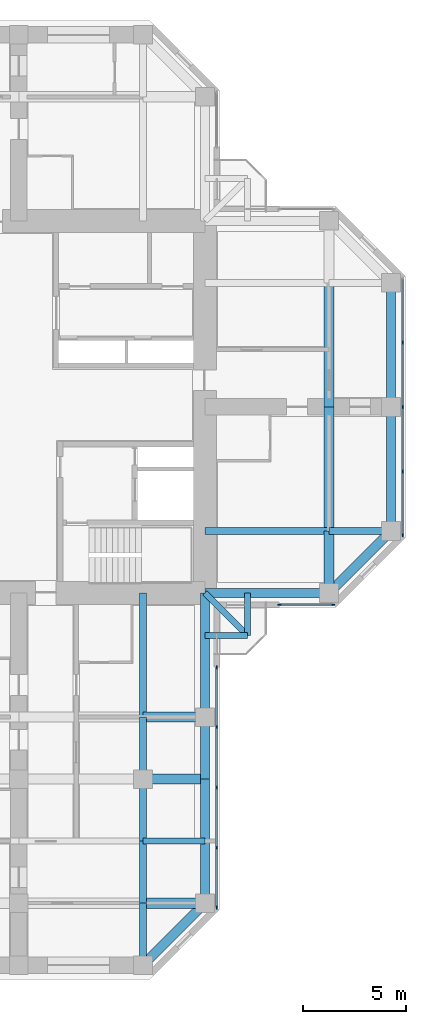
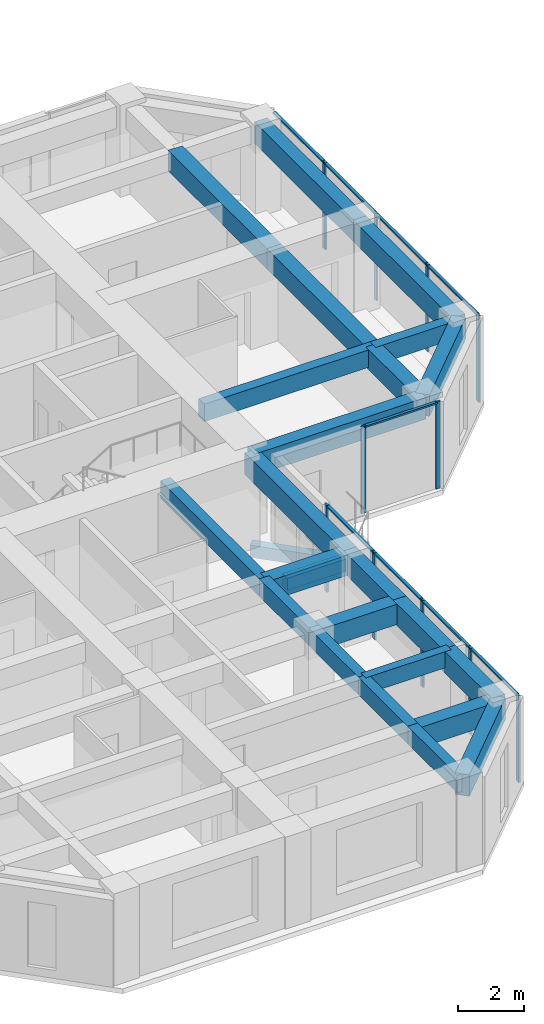
# One storey, part 4 of 13: 26 beams, 20 members, 3 elements without a shape of their own.
"""IFC4 building model written with IfcOpenShell, lengths in metres."""

from ifc_helpers import new_model, si_unit, direction, frame, origin, origin_2d, place, context, subcontext, project, spatial, rectangle, extrude, material, material_profile, profile_set, type_object, element, aggregate, save


model = new_model("IFC4")

# Units and contexts
model_context = context("Model", 3, precision=1e-05, world=origin(), true_north=direction((0.0, 1.0)))
body_context = subcontext(model_context, "Body", "Model", "MODEL_VIEW")
ifc_project = project(units=[si_unit("LENGTHUNIT", "METRE"), si_unit("AREAUNIT", "SQUARE_METRE"), si_unit("VOLUMEUNIT", "CUBIC_METRE"), si_unit("PLANEANGLEUNIT", "RADIAN"), si_unit("MASSUNIT", "GRAM", prefix="KILO")], contexts=[model_context])

# Site, building, storey
site_placement = place(None, origin())
site = spatial("IfcSite", under=ifc_project, at=site_placement, CompositionType="ELEMENT")
building_placement = place(site_placement, origin())
building = spatial("IfcBuilding", under=site, at=building_placement, Name="Torre Cruceta", CompositionType="ELEMENT")
storey_placement = place(building_placement, frame((0.0, 0.0, 196.699951171875)))
storey = spatial("IfcBuildingStorey", under=building, at=storey_placement, Name="L49", CompositionType="ELEMENT", Elevation=196.699951171875)

# Beams
ifc_material_1 = material(Name="Concrete G60 (fck 60 MPa)", Category="concrete")
ifc_material_profile_1 = material_profile(ifc_material_1, rectangle(XDim=0.300048828125, YDim=0.449951171875, at=origin_2d()), Name="RC 300X450")
ifc_profile_set_1 = profile_set([ifc_material_profile_1], Name="Concrete G60 (fck 60 MPa)")
beam_type_1 = type_object("IfcBeamType", Name="BALCONY CANTILEVER BEAM RC 300X450", PredefinedType="BEAM", material=ifc_profile_set_1)
beam_1_placement = place(storey_placement, frame((9.0, -9.0, -0.405029296875), z_axis=(0.707106781187, -0.707106781187, 0.0), x_axis=(0.707106781187, 0.707106781187, 0.0)))
element("IfcBeam", 1, at=beam_1_placement, inside=storey, type_object=beam_type_1, Name="BB1 balcony beam L49 S", PredefinedType="BEAM", context=body_context, shape_type="SweptSolid", body=[
    extrude(rectangle(XDim=0.300048828125, YDim=0.449951171875, at=origin_2d()), origin(), (0.0, 0.0, 1.0), 2.89990234375),
])
for number, where, z_axis, x_axis, name in (
    (2, (11.050537109375, -9.0, -0.405029296875), (0.0, -1.0, 0.0), (1.0, 0.0, 0.0), "BB1 balcony edge beam L49 S-X"),
    (3, (9.0, -11.050537109375, -0.405029296875), (1.0, 0.0, 0.0), (0.0, 1.0, 0.0), "BB1 balcony edge beam L49 S-Y"),
):
    element("IfcBeam", number, at=place(storey_placement, frame(where, z_axis=z_axis, x_axis=x_axis)), inside=storey, type_object=beam_type_1, Name=name, PredefinedType="BEAM", context=body_context, shape_type="SweptSolid", body=[
        extrude(rectangle(XDim=0.300048828125, YDim=0.449951171875, at=origin_2d()), origin(), (0.0, 0.0, 1.0), 2.050537109375),
    ])
ifc_material_2 = material(Name="Concrete G60 (fck 60 MPa)", Category="concrete")
ifc_material_profile_2 = material_profile(ifc_material_2, rectangle(XDim=0.35009765625, YDim=0.64990234375, at=origin_2d()), Name="RC 350X650")
ifc_profile_set_2 = profile_set([ifc_material_profile_2], Name="Concrete G60 (fck 60 MPa)")
beam_type_2 = type_object("IfcBeamType", Name="COLUMN LINE BEAM RC 350X650", PredefinedType="BEAM", material=ifc_profile_set_2)
beam_2_placement = place(storey_placement, frame((9.0, -6.0, 2.89501953125), z_axis=(1.0, 0.0, 0.0), x_axis=(0.0, 1.0, 0.0)))
element("IfcBeam", 4, at=beam_2_placement, inside=storey, type_object=beam_type_2, Name="LB7 L49 E col- 1", PredefinedType="BEAM", context=body_context, shape_type="SweptSolid", body=[
    extrude(rectangle(XDim=0.35009765625, YDim=0.64990234375, at=origin_2d()), origin(), (0.0, 0.0, 1.0), 6.0),
])
beam_3_placement = place(storey_placement, frame((15.0, -6.0, 2.89501953125), z_axis=(1.0, 0.0, 0.0), x_axis=(0.0, 1.0, 0.0)))
element("IfcBeam", 5, at=beam_3_placement, inside=storey, type_object=beam_type_2, Name="LB7 L49 E col- 2", PredefinedType="BEAM", context=body_context, shape_type="SweptSolid", body=[
    extrude(rectangle(XDim=0.35009765625, YDim=0.64990234375, at=origin_2d()), origin(), (0.0, 0.0, 1.0), 3.0),
])
beam_4_placement = place(storey_placement, frame((6.0, -9.0, 2.89501953125), z_axis=(0.0, -1.0, 0.0), x_axis=(1.0, 0.0, 0.0)))
element("IfcBeam", 6, at=beam_4_placement, inside=storey, type_object=beam_type_2, Name="LB7 L49 S col+ 1", PredefinedType="BEAM", context=body_context, shape_type="SweptSolid", body=[
    extrude(rectangle(XDim=0.35009765625, YDim=0.64990234375, at=origin_2d()), origin(), (0.0, 0.0, 1.0), 6.0),
])
for number, where, z_axis, x_axis, name in (
    (7, (6.0, -15.0, 2.89501953125), (0.0, -1.0, 0.0), (1.0, 0.0, 0.0), "LB7 L49 S col+ 2"),
    (8, (6.0, -18.0, 2.89501953125), (0.0, -1.0, 0.0), (1.0, 0.0, 0.0), "LB7 L49 S col+ 3"),
    (9, (6.0, -21.0, 2.89501953125), (0.0, -1.0, 0.0), (1.0, 0.0, 0.0), "LB7 L49 S col+ 4"),
    (10, (6.0, -24.0, 2.89501953125), (0.0, -1.0, 0.0), (1.0, 0.0, 0.0), "LB7 L49 S col+ 5"),
):
    element("IfcBeam", number, at=place(storey_placement, frame(where, z_axis=z_axis, x_axis=x_axis)), inside=storey, type_object=beam_type_2, Name=name, PredefinedType="BEAM", context=body_context, shape_type="SweptSolid", body=[
        extrude(rectangle(XDim=0.35009765625, YDim=0.64990234375, at=origin_2d()), origin(), (0.0, 0.0, 1.0), 3.0),
    ])
ifc_material_3 = material(Name="Concrete G60 (fck 60 MPa)", Category="concrete")
ifc_material_profile_3 = material_profile(ifc_material_3, rectangle(XDim=0.5, YDim=0.75, at=origin_2d()), Name="RC 500X750")
ifc_profile_set_3 = profile_set([ifc_material_profile_3], Name="Concrete G60 (fck 60 MPa)")
beam_type_3 = type_object("IfcBeamType", Name="CROSS BEAM RC 500X750", PredefinedType="BEAM", material=ifc_profile_set_3)
beam_5_placement = place(storey_placement, frame((15.0, -9.0, 2.844970703125), z_axis=(0.0, 1.0, 0.0), x_axis=(-1.0, 0.0, 0.0)))
element("IfcBeam", 11, at=beam_5_placement, inside=storey, type_object=beam_type_3, Name="GB6 L49 E cross15 1", PredefinedType="BEAM", context=body_context, shape_type="SweptSolid", body=[
    extrude(rectangle(XDim=0.5, YDim=0.75, at=origin_2d()), origin(), (0.0, 0.0, 1.0), 3.0),
])
for number, where, z_axis, x_axis, name in (
    (12, (15.0, -6.0, 2.844970703125), (0.0, 1.0, 0.0), (-1.0, 0.0, 0.0), "GB6 L49 E cross15 2"),
    (13, (15.0, 0.0, 2.844970703125), (0.0, 1.0, 0.0), (-1.0, 0.0, 0.0), "GB6 L49 E cross15 3"),
):
    element("IfcBeam", number, at=place(storey_placement, frame(where, z_axis=z_axis, x_axis=x_axis)), inside=storey, type_object=beam_type_3, Name=name, PredefinedType="BEAM", context=body_context, shape_type="SweptSolid", body=[
        extrude(rectangle(XDim=0.5, YDim=0.75, at=origin_2d()), origin(), (0.0, 0.0, 1.0), 6.0),
    ])
for number, where, z_axis, x_axis, name in (
    (14, (6.0, -15.0, 2.844970703125), (1.0, 0.0, 0.0), (0.0, 1.0, 0.0), "GB6 L49 S cross15 4"),
    (15, (6.0, -18.0, 2.844970703125), (1.0, 0.0, 0.0), (0.0, 1.0, 0.0), "GB6 L49 S cross18 4"),
    (16, (6.0, -24.0, 2.844970703125), (1.0, 0.0, 0.0), (0.0, 1.0, 0.0), "GB6 L49 S cross24 4"),
):
    element("IfcBeam", number, at=place(storey_placement, frame(where, z_axis=z_axis, x_axis=x_axis)), inside=storey, type_object=beam_type_3, Name=name, PredefinedType="BEAM", context=body_context, shape_type="SweptSolid", body=[
        extrude(rectangle(XDim=0.5, YDim=0.75, at=origin_2d()), origin(), (0.0, 0.0, 1.0), 3.0),
    ])

# Curtain wall, members
ifc_material_4 = material(Name="Aluminium unitised curtain wall", Category="aluminium")
curtain_wall_type = type_object("IfcCurtainWallType", Name="CURTAIN WALL CW-C CO-LIVING", PredefinedType="USERDEFINED", material=ifc_material_4)
curtain_wall_1_placement = place(storey_placement, origin())
curtain_wall_1 = element("IfcCurtainWall", 17, at=curtain_wall_1_placement, inside=storey, type_object=curtain_wall_type, Name="CW-C L49 E side 00", ObjectType="UNITISED", PredefinedType="USERDEFINED")
ifc_material_5 = material(Name="Aluminium mullion", Category="aluminium")
ifc_material_profile_4 = material_profile(ifc_material_5, rectangle(XDim=0.06005859375, YDim=0.159912109375, at=origin_2d()), Name="AL 60X160")
ifc_profile_set_4 = profile_set([ifc_material_profile_4], Name="Aluminium mullion")
member_type_1 = type_object("IfcMemberType", Name="CW-C MULLION 60X160", PredefinedType="MULLION", material=ifc_profile_set_4)
member_1_placement = place(storey_placement, frame((12.60009765625, -9.570068359375, 0.0), z_axis=(0.0, 0.0, 1.0), x_axis=(0.0, 1.0, 0.0)))
member_1 = element("IfcMember", 18, at=member_1_placement, type_object=member_type_1, Name="CW-C mullion 1", PredefinedType="MULLION", context=body_context, shape_type="SweptSolid", body=[
    extrude(rectangle(XDim=0.06005859375, YDim=0.159912109375, at=origin_2d()), origin(), (0.0, 0.0, 1.0), 3.219970703125),
])
member_2_placement = place(storey_placement, frame((15.2060546875, -9.570068359375, 0.0), z_axis=(0.0, 0.0, 1.0), x_axis=(0.0, 1.0, 0.0)))
member_2 = element("IfcMember", 19, at=member_2_placement, type_object=member_type_1, Name="CW-C mullion 2", PredefinedType="MULLION", context=body_context, shape_type="SweptSolid", body=[
    extrude(rectangle(XDim=0.06005859375, YDim=0.159912109375, at=origin_2d()), origin(), (0.0, 0.0, 1.0), 3.219970703125),
])

curtain_wall_2_placement = place(storey_placement, origin())
curtain_wall_2 = element("IfcCurtainWall", 20, at=curtain_wall_2_placement, inside=storey, type_object=curtain_wall_type, Name="CW-C L49 E tip 02", ObjectType="UNITISED", PredefinedType="USERDEFINED")
member_3_placement = place(storey_placement, frame((18.570068359375, -6.2060546875, 0.0), z_axis=(0.0, 0.0, 1.0), x_axis=(-1.0, 0.0, 0.0)))
member_3 = element("IfcMember", 21, at=member_3_placement, type_object=member_type_1, Name="CW-C mullion 1", PredefinedType="MULLION", context=body_context, shape_type="SweptSolid", body=[
    extrude(rectangle(XDim=0.06005859375, YDim=0.159912109375, at=origin_2d()), origin(), (0.0, 0.0, 1.0), 3.219970703125),
])
member_4_placement = place(storey_placement, frame((18.570068359375, -3.1181640625, 0.0), z_axis=(0.0, 0.0, 1.0), x_axis=(-1.0, 0.0, 0.0)))
member_4 = element("IfcMember", 22, at=member_4_placement, type_object=member_type_1, Name="CW-C mullion 2", PredefinedType="MULLION", context=body_context, shape_type="SweptSolid", body=[
    extrude(rectangle(XDim=0.06005859375, YDim=0.159912109375, at=origin_2d()), origin(), (0.0, 0.0, 1.0), 3.219970703125),
])
member_5_placement = place(storey_placement, frame((18.570068359375, 0.0, 0.0), z_axis=(0.0, 0.0, 1.0), x_axis=(-1.0, 0.0, 0.0)))
member_5 = element("IfcMember", 23, at=member_5_placement, type_object=member_type_1, Name="CW-C mullion 3", PredefinedType="MULLION", context=body_context, shape_type="SweptSolid", body=[
    extrude(rectangle(XDim=0.06005859375, YDim=0.159912109375, at=origin_2d()), origin(), (0.0, 0.0, 1.0), 3.219970703125),
])
member_6_placement = place(storey_placement, frame((18.570068359375, 3.1181640625, 0.0), z_axis=(0.0, 0.0, 1.0), x_axis=(-1.0, 0.0, 0.0)))
member_6 = element("IfcMember", 24, at=member_6_placement, type_object=member_type_1, Name="CW-C mullion 4", PredefinedType="MULLION", context=body_context, shape_type="SweptSolid", body=[
    extrude(rectangle(XDim=0.06005859375, YDim=0.159912109375, at=origin_2d()), origin(), (0.0, 0.0, 1.0), 3.219970703125),
])

curtain_wall_3_placement = place(storey_placement, origin())
curtain_wall_3 = element("IfcCurtainWall", 25, at=curtain_wall_3_placement, inside=storey, type_object=curtain_wall_type, Name="CW-C L49 S side 19", ObjectType="UNITISED", PredefinedType="USERDEFINED")
member_7_placement = place(storey_placement, frame((9.570068359375, -24.2060546875, 0.0), z_axis=(0.0, 0.0, 1.0), x_axis=(-1.0, 0.0, 0.0)))
member_7 = element("IfcMember", 26, at=member_7_placement, type_object=member_type_1, Name="CW-C mullion 1", PredefinedType="MULLION", context=body_context, shape_type="SweptSolid", body=[
    extrude(rectangle(XDim=0.06005859375, YDim=0.159912109375, at=origin_2d()), origin(), (0.0, 0.0, 1.0), 3.219970703125),
])
member_8_placement = place(storey_placement, frame((9.570068359375, -21.319580078125, 0.0), z_axis=(0.0, 0.0, 1.0), x_axis=(-1.0, 0.0, 0.0)))
member_8 = element("IfcMember", 27, at=member_8_placement, type_object=member_type_1, Name="CW-C mullion 2", PredefinedType="MULLION", context=body_context, shape_type="SweptSolid", body=[
    extrude(rectangle(XDim=0.06005859375, YDim=0.159912109375, at=origin_2d()), origin(), (0.0, 0.0, 1.0), 3.219970703125),
])
member_9_placement = place(storey_placement, frame((9.570068359375, -18.403076171875, 0.0), z_axis=(0.0, 0.0, 1.0), x_axis=(-1.0, 0.0, 0.0)))
member_9 = element("IfcMember", 28, at=member_9_placement, type_object=member_type_1, Name="CW-C mullion 3", PredefinedType="MULLION", context=body_context, shape_type="SweptSolid", body=[
    extrude(rectangle(XDim=0.06005859375, YDim=0.159912109375, at=origin_2d()), origin(), (0.0, 0.0, 1.0), 3.219970703125),
])
member_10_placement = place(storey_placement, frame((9.570068359375, -15.486572265625, 0.0), z_axis=(0.0, 0.0, 1.0), x_axis=(-1.0, 0.0, 0.0)))
member_10 = element("IfcMember", 29, at=member_10_placement, type_object=member_type_1, Name="CW-C mullion 4", PredefinedType="MULLION", context=body_context, shape_type="SweptSolid", body=[
    extrude(rectangle(XDim=0.06005859375, YDim=0.159912109375, at=origin_2d()), origin(), (0.0, 0.0, 1.0), 3.219970703125),
])
member_11_placement = place(storey_placement, frame((9.570068359375, -12.60009765625, 0.0), z_axis=(0.0, 0.0, 1.0), x_axis=(-1.0, 0.0, 0.0)))
member_11 = element("IfcMember", 30, at=member_11_placement, type_object=member_type_1, Name="CW-C mullion 5", PredefinedType="MULLION", context=body_context, shape_type="SweptSolid", body=[
    extrude(rectangle(XDim=0.06005859375, YDim=0.159912109375, at=origin_2d()), origin(), (0.0, 0.0, 1.0), 3.219970703125),
])

# Member
ifc_material_6 = material(Name="Aluminium transom", Category="aluminium")
ifc_material_profile_5 = material_profile(ifc_material_6, rectangle(XDim=0.10009765625, YDim=0.06005859375, at=origin_2d()), Name="AL 100X60")
ifc_profile_set_5 = profile_set([ifc_material_profile_5], Name="Aluminium transom")
member_type_2 = type_object("IfcMemberType", Name="CW-C TRANSOM 60X100", PredefinedType="USERDEFINED", material=ifc_profile_set_5)
member_12_placement = place(storey_placement, frame((12.6298828125, -9.570068359375, 3.18994140625), z_axis=(1.0, 0.0, 0.0), x_axis=(0.0, 1.0, 0.0)))
member_12 = element("IfcMember", 31, at=member_12_placement, type_object=member_type_2, Name="CW-C transom 1", ObjectType="TRANSOM", PredefinedType="USERDEFINED", context=body_context, shape_type="SweptSolid", body=[
    extrude(rectangle(XDim=0.10009765625, YDim=0.06005859375, at=origin_2d()), origin(), (0.0, 0.0, 1.0), 2.546142578125),
])

aggregate(curtain_wall_1, [member_1, member_2, member_12])

member_13_placement = place(storey_placement, frame((18.570068359375, -6.176025390625, 3.18994140625), z_axis=(0.0, 1.0, 0.0), x_axis=(-1.0, 0.0, 0.0)))
member_13 = element("IfcMember", 32, at=member_13_placement, type_object=member_type_2, Name="CW-C transom 1", ObjectType="TRANSOM", PredefinedType="USERDEFINED", context=body_context, shape_type="SweptSolid", body=[
    extrude(rectangle(XDim=0.10009765625, YDim=0.06005859375, at=origin_2d()), origin(), (0.0, 0.0, 1.0), 3.028076171875),
])

member_14_placement = place(storey_placement, frame((18.570068359375, -3.088134765625, 3.18994140625), z_axis=(0.0, 1.0, 0.0), x_axis=(-1.0, 0.0, 0.0)))
member_14 = element("IfcMember", 33, at=member_14_placement, type_object=member_type_2, Name="CW-C transom 2", ObjectType="TRANSOM", PredefinedType="USERDEFINED", context=body_context, shape_type="SweptSolid", body=[
    extrude(rectangle(XDim=0.10009765625, YDim=0.06005859375, at=origin_2d()), origin(), (0.0, 0.0, 1.0), 3.05810546875),
])

member_15_placement = place(storey_placement, frame((18.570068359375, 0.030029296875, 3.18994140625), z_axis=(0.0, 1.0, 0.0), x_axis=(-1.0, 0.0, 0.0)))
member_15 = element("IfcMember", 34, at=member_15_placement, type_object=member_type_2, Name="CW-C transom 3", ObjectType="TRANSOM", PredefinedType="USERDEFINED", context=body_context, shape_type="SweptSolid", body=[
    extrude(rectangle(XDim=0.10009765625, YDim=0.06005859375, at=origin_2d()), origin(), (0.0, 0.0, 1.0), 3.05810546875),
])

member_16_placement = place(storey_placement, frame((18.570068359375, 3.14794921875, 3.18994140625), z_axis=(0.0, 1.0, 0.0), x_axis=(-1.0, 0.0, 0.0)))
member_16 = element("IfcMember", 35, at=member_16_placement, type_object=member_type_2, Name="CW-C transom 4", ObjectType="TRANSOM", PredefinedType="USERDEFINED", context=body_context, shape_type="SweptSolid", body=[
    extrude(rectangle(XDim=0.10009765625, YDim=0.06005859375, at=origin_2d()), origin(), (0.0, 0.0, 1.0), 3.028076171875),
])

aggregate(curtain_wall_2, [member_3, member_4, member_5, member_6, member_13, member_14, member_15, member_16])

member_17_placement = place(storey_placement, frame((9.570068359375, -24.176025390625, 3.18994140625), z_axis=(0.0, 1.0, 0.0), x_axis=(-1.0, 0.0, 0.0)))
member_17 = element("IfcMember", 36, at=member_17_placement, type_object=member_type_2, Name="CW-C transom 1", ObjectType="TRANSOM", PredefinedType="USERDEFINED", context=body_context, shape_type="SweptSolid", body=[
    extrude(rectangle(XDim=0.10009765625, YDim=0.06005859375, at=origin_2d()), origin(), (0.0, 0.0, 1.0), 2.826416015625),
])

member_18_placement = place(storey_placement, frame((9.570068359375, -21.28955078125, 3.18994140625), z_axis=(0.0, 1.0, 0.0), x_axis=(-1.0, 0.0, 0.0)))
member_18 = element("IfcMember", 37, at=member_18_placement, type_object=member_type_2, Name="CW-C transom 2", ObjectType="TRANSOM", PredefinedType="USERDEFINED", context=body_context, shape_type="SweptSolid", body=[
    extrude(rectangle(XDim=0.10009765625, YDim=0.06005859375, at=origin_2d()), origin(), (0.0, 0.0, 1.0), 2.8564453125),
])

member_19_placement = place(storey_placement, frame((9.570068359375, -18.373046875, 3.18994140625), z_axis=(0.0, 1.0, 0.0), x_axis=(-1.0, 0.0, 0.0)))
member_19 = element("IfcMember", 38, at=member_19_placement, type_object=member_type_2, Name="CW-C transom 3", ObjectType="TRANSOM", PredefinedType="USERDEFINED", context=body_context, shape_type="SweptSolid", body=[
    extrude(rectangle(XDim=0.10009765625, YDim=0.06005859375, at=origin_2d()), origin(), (0.0, 0.0, 1.0), 2.8564453125),
])

member_20_placement = place(storey_placement, frame((9.570068359375, -15.45654296875, 3.18994140625), z_axis=(0.0, 1.0, 0.0), x_axis=(-1.0, 0.0, 0.0)))
member_20 = element("IfcMember", 39, at=member_20_placement, type_object=member_type_2, Name="CW-C transom 4", ObjectType="TRANSOM", PredefinedType="USERDEFINED", context=body_context, shape_type="SweptSolid", body=[
    extrude(rectangle(XDim=0.10009765625, YDim=0.06005859375, at=origin_2d()), origin(), (0.0, 0.0, 1.0), 2.82666015625),
])

aggregate(curtain_wall_3, [member_7, member_8, member_9, member_10, member_11, member_17, member_18, member_19, member_20])

# Beams
ifc_material_7 = material(Name="Concrete G60 (fck 60 MPa)", Category="concrete")
ifc_material_profile_6 = material_profile(ifc_material_7, rectangle(XDim=0.300048828125, YDim=0.60009765625, at=origin_2d()), Name="RC 300X600")
ifc_profile_set_6 = profile_set([ifc_material_profile_6], Name="Concrete G60 (fck 60 MPa)")
beam_type_4 = type_object("IfcBeamType", Name="SECONDARY BEAM RC 300X600", PredefinedType="JOIST", material=ifc_profile_set_6)
beam_6_placement = place(storey_placement, frame((6.0, -21.0, 2.920166015625), z_axis=(1.0, 0.0, 0.0), x_axis=(0.0, 1.0, 0.0)))
element("IfcBeam", 40, at=beam_6_placement, inside=storey, type_object=beam_type_4, Name="JB6 L49 S sec21 4", PredefinedType="JOIST", context=body_context, shape_type="SweptSolid", body=[
    extrude(rectangle(XDim=0.300048828125, YDim=0.60009765625, at=origin_2d()), origin(), (0.0, 0.0, 1.0), 3.0),
])
ifc_material_8 = material(Name="Concrete G60 (fck 60 MPa)", Category="concrete")
ifc_material_profile_7 = material_profile(ifc_material_8, rectangle(XDim=0.449951171875, YDim=0.800048828125, at=origin_2d()), Name="RC 450X800")
ifc_profile_set_7 = profile_set([ifc_material_profile_7], Name="Concrete G60 (fck 60 MPa)")
beam_type_5 = type_object("IfcBeamType", Name="SPANDREL BEAM RC 450X800", PredefinedType="SPANDREL", material=ifc_profile_set_7)
beam_7_placement = place(storey_placement, frame((9.0, -9.0, 2.820068359375), z_axis=(1.0, 0.0, 0.0), x_axis=(0.0, 1.0, 0.0)))
element("IfcBeam", 41, at=beam_7_placement, inside=storey, type_object=beam_type_5, Name="SB6 L49 E side- 1", PredefinedType="SPANDREL", context=body_context, shape_type="SweptSolid", body=[
    extrude(rectangle(XDim=0.449951171875, YDim=0.800048828125, at=origin_2d()), origin(), (0.0, 0.0, 1.0), 6.0),
])
beam_8_placement = place(storey_placement, frame((15.0, -9.0, 2.820068359375), z_axis=(0.707106781187, 0.707106781187, 0.0), x_axis=(-0.707106781187, 0.707106781187, 0.0)))
element("IfcBeam", 42, at=beam_8_placement, inside=storey, type_object=beam_type_5, Name="SB6 L49 E side- 2", PredefinedType="SPANDREL", context=body_context, shape_type="SweptSolid", body=[
    extrude(rectangle(XDim=0.449951171875, YDim=0.800048828125, at=origin_2d()), origin(), (0.0, 0.0, 1.0), 4.24267578125),
])
for number, where, z_axis, x_axis, name in (
    (43, (18.0, -6.0, 2.820068359375), (0.0, 1.0, 0.0), (-1.0, 0.0, 0.0), "SB6 L49 E tip 1"),
    (44, (18.0, 0.0, 2.820068359375), (0.0, 1.0, 0.0), (-1.0, 0.0, 0.0), "SB6 L49 E tip 2"),
    (45, (9.0, -9.0, 2.820068359375), (0.0, -1.0, 0.0), (1.0, 0.0, 0.0), "SB6 L49 S side+ 1"),
):
    element("IfcBeam", number, at=place(storey_placement, frame(where, z_axis=z_axis, x_axis=x_axis)), inside=storey, type_object=beam_type_5, Name=name, PredefinedType="SPANDREL", context=body_context, shape_type="SweptSolid", body=[
        extrude(rectangle(XDim=0.449951171875, YDim=0.800048828125, at=origin_2d()), origin(), (0.0, 0.0, 1.0), 6.0),
    ])
for number, where, z_axis, x_axis, name in (
    (46, (9.0, -15.0, 2.820068359375), (0.0, -1.0, 0.0), (1.0, 0.0, 0.0), "SB6 L49 S side+ 2"),
    (47, (9.0, -18.0, 2.820068359375), (0.0, -1.0, 0.0), (1.0, 0.0, 0.0), "SB6 L49 S side+ 3"),
    (48, (9.0, -21.0, 2.820068359375), (0.0, -1.0, 0.0), (1.0, 0.0, 0.0), "SB6 L49 S side+ 4"),
):
    element("IfcBeam", number, at=place(storey_placement, frame(where, z_axis=z_axis, x_axis=x_axis)), inside=storey, type_object=beam_type_5, Name=name, PredefinedType="SPANDREL", context=body_context, shape_type="SweptSolid", body=[
        extrude(rectangle(XDim=0.449951171875, YDim=0.800048828125, at=origin_2d()), origin(), (0.0, 0.0, 1.0), 3.0),
    ])
beam_9_placement = place(storey_placement, frame((9.0, -24.0, 2.820068359375), z_axis=(-0.707106781187, -0.707106781187, 0.0), x_axis=(0.707106781187, -0.707106781187, 0.0)))
element("IfcBeam", 49, at=beam_9_placement, inside=storey, type_object=beam_type_5, Name="SB6 L49 S side+ 5", PredefinedType="SPANDREL", context=body_context, shape_type="SweptSolid", body=[
    extrude(rectangle(XDim=0.449951171875, YDim=0.800048828125, at=origin_2d()), origin(), (0.0, 0.0, 1.0), 4.24267578125),
])

save(model, "model.ifc")
